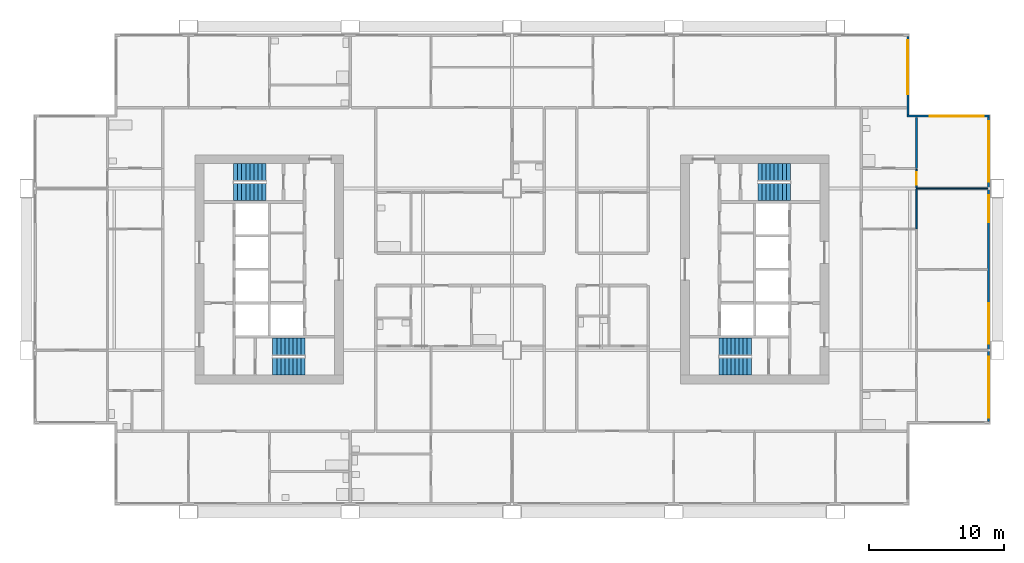
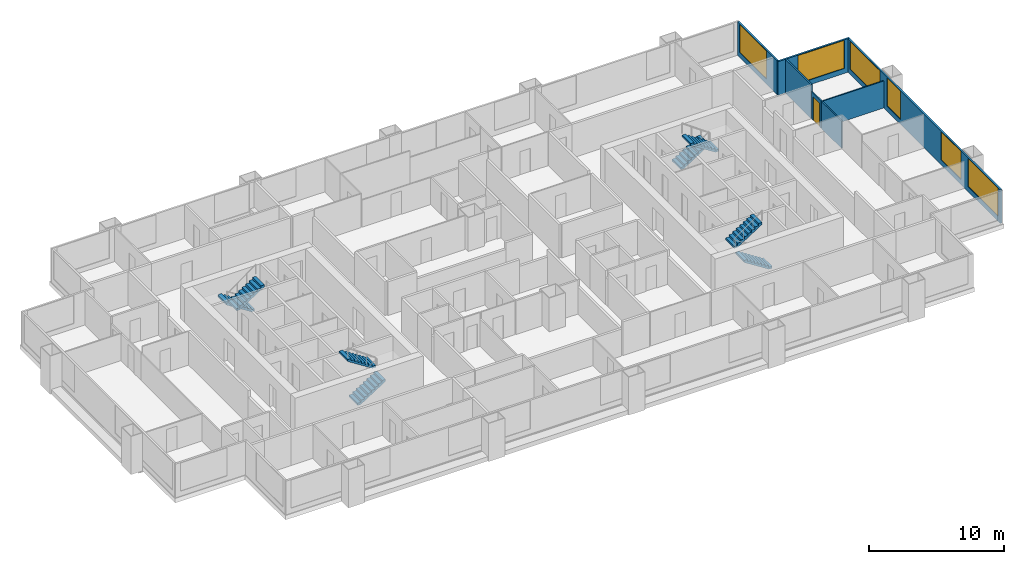
# One storey, part 9 of 11: 8 stair flights, 7 walls, 6 windows, 1 door, 7 openings, 4 elements without a shape of their own.
"""IFC4 building model written with IfcOpenShell, lengths in metres."""

from ifc_helpers import new_model, si_unit, direction, frame, frame_2d, origin, place, context, subcontext, project, spatial, polyline, rectangle, outline, extrude, material, layer, layer_set, type_object, element, fill, aggregate, save


model = new_model("IFC4")

# Units and contexts
model_context = context("Model", 3, precision=1e-05, world=origin(), true_north=direction((0.0, 1.0)))
body_context = subcontext(model_context, "Body", "Model", "MODEL_VIEW")
ifc_project = project(units=[si_unit("LENGTHUNIT", "METRE"), si_unit("AREAUNIT", "SQUARE_METRE"), si_unit("VOLUMEUNIT", "CUBIC_METRE"), si_unit("PLANEANGLEUNIT", "RADIAN"), si_unit("MASSUNIT", "GRAM", prefix="KILO")], contexts=[model_context])

# Site, building, storey
site_placement = place(None, origin())
site = spatial("IfcSite", under=ifc_project, at=site_placement, CompositionType="ELEMENT")
building_placement = place(site_placement, origin())
building = spatial("IfcBuilding", under=site, at=building_placement, Name="Kitamizu Gate Tower and Museum", CompositionType="ELEMENT")
storey_placement = place(building_placement, frame((0.0, 0.0, 138.0)))
storey = spatial("IfcBuildingStorey", under=building, at=storey_placement, Name="L36", CompositionType="ELEMENT", Elevation=138.0)

# Walls
ifc_material_1 = material(Name="Gypsum board on galvanised stud")
ifc_layer_1 = layer(ifc_material_1, 0.10009765625)
ifc_layer_set_1 = layer_set([ifc_layer_1], Name="Gypsum board on galvanised stud")
wall_type_1 = type_object("IfcWallType", Name="Partition 100 NOT RATED", PredefinedType="PARTITIONING", material=ifc_layer_set_1)
wall_1_placement = place(storey_placement, frame((71.280029296875, 36.0, 0.0), z_axis=(0.0, 0.0, 1.0), x_axis=(-1.0, 0.0, 0.0)))
element("IfcWall", 1, at=wall_1_placement, inside=storey, type_object=wall_type_1, Name="Partition L36-089", PredefinedType="PARTITIONING", context=body_context, shape_type="SweptSolid", body=[
    extrude(rectangle(XDim=5.280029296875, YDim=0.10009765625, at=frame_2d((2.64013671875, 0.0))), origin(), (0.0, 0.0, 1.0), 2.449951171875),
])
wall_2_placement = place(storey_placement, frame((66.0, 35.949951171875, 0.0), z_axis=(0.0, 0.0, 1.0), x_axis=(0.0, -1.0, 0.0)))
element("IfcWall", 2, at=wall_2_placement, inside=storey, type_object=wall_type_1, Name="Partition L36-091", PredefinedType="PARTITIONING", context=body_context, shape_type="SweptSolid", body=[
    extrude(rectangle(XDim=2.949951171875, YDim=0.10009765625, at=frame_2d((1.47509765625, 0.0))), origin(), (0.0, 0.0, 1.0), 2.449951171875),
])

# Wall, opening, door
wall_3_placement = place(storey_placement, frame((66.0, 37.425048828125, 0.0), z_axis=(0.0, 0.0, 1.0), x_axis=(0.0, -1.0, 0.0)))
wall_3 = element("IfcWall", 3, at=wall_3_placement, inside=storey, type_object=wall_type_1, Name="Partition L36-092", PredefinedType="PARTITIONING", context=body_context, shape_type="SweptSolid", body=[
    extrude(rectangle(XDim=1.375, YDim=0.10009765625, at=frame_2d((0.6875, 0.0))), origin(), (0.0, 0.0, 1.0), 2.449951171875),
])
opening_1_placement = place(wall_3_placement, frame((0.237548828125, 0.0, 0.0)))
opening_1 = element("IfcOpeningElement", 4, at=opening_1_placement, cuts=wall_3, Name="Opening L36-036", PredefinedType="OPENING", context=body_context, shape_type="SweptSolid", body=[
    extrude(rectangle(XDim=0.89990234375, YDim=2.10009765625, at=frame_2d((0.449951171875, 1.050048828125))), frame((0.0, 0.06005859375, 0.0), z_axis=(0.0, -1.0, 0.0), x_axis=(1.0, 0.0, 0.0)), (0.0, 0.0, 1.0), 0.1201171875),
])
ifc_material_2 = material(Name="Timber door set", Category="wood")
door_type = type_object("IfcDoorType", Name="Room door 900", OperationType="NOTDEFINED", PredefinedType="DOOR", material=ifc_material_2)
door_placement = place(opening_1_placement, origin())
door = element("IfcDoor", 5, at=door_placement, inside=storey, type_object=door_type, Name="Door L36-036", OperationType="SINGLE_SWING_LEFT", OverallHeight=2.10009765625, OverallWidth=0.89990234375, PredefinedType="DOOR", context=body_context, shape_type="SweptSolid", body=[
    extrude(rectangle(XDim=0.89990234375, YDim=2.10009765625, at=frame_2d((0.449951171875, 1.050048828125))), frame((0.0, 0.02490234375, 0.0), z_axis=(0.0, -1.0, 0.0), x_axis=(1.0, 0.0, 0.0)), (0.0, 0.0, 1.0), 0.050048828125),
])
fill(opening_1, door)

# Wall
ifc_material_3 = material(Name="Gypsum board on galvanised stud")
ifc_layer_2 = layer(ifc_material_3, 0.14990234375)
ifc_layer_set_2 = layer_set([ifc_layer_2], Name="Gypsum board on galvanised stud")
wall_type_2 = type_object("IfcWallType", Name="Partition 150", PredefinedType="PARTITIONING", material=ifc_layer_set_2)
wall_4_placement = place(storey_placement, frame((66.0, 41.280029296875, 0.0), z_axis=(0.0, 0.0, 1.0), x_axis=(0.0, -1.0, 0.0)))
element("IfcWall", 6, at=wall_4_placement, inside=storey, type_object=wall_type_2, Name="Partition L36-093", PredefinedType="PARTITIONING", context=body_context, shape_type="SweptSolid", body=[
    extrude(rectangle(XDim=3.780029296875, YDim=0.14990234375, at=frame_2d((1.89013671875, 0.0))), origin(), (0.0, 0.0, 1.0), 3.050048828125),
])

# Wall, openings, windows
ifc_material_4 = material(Name="Bronze anodised aluminium frame with insulated spandrel and tinted glass", Category="aluminium")
ifc_layer_3 = layer(ifc_material_4, 0.14990234375)
ifc_layer_set_3 = layer_set([ifc_layer_3], Name="Bronze anodised aluminium frame with insulated spandrel and tinted glass")
wall_type_3 = type_object("IfcWallType", Name="WINDOW WALL 150 BRONZE FRAME EI 30", PredefinedType="ELEMENTEDWALL", material=ifc_layer_set_3)
wall_5_placement = place(storey_placement, frame((71.364990234375, 18.7099609375, 0.0), z_axis=(0.0, 0.0, 1.0), x_axis=(0.0, 1.0, 0.0)))
wall_5 = element("IfcWall", 7, at=wall_5_placement, inside=storey, type_object=wall_type_3, Name="Window wall east L36", PredefinedType="ELEMENTEDWALL", context=body_context, shape_type="SweptSolid", body=[
    extrude(rectangle(XDim=22.580078125, YDim=0.14990234375, at=frame_2d((11.2900390625, 0.0))), origin(), (0.0, 0.0, 1.0), 3.050048828125),
])
opening_2_placement = place(wall_5_placement, frame((0.2900390625, 0.0, 0.449951171875)))
opening_2 = element("IfcOpeningElement", 8, at=opening_2_placement, cuts=wall_5, Name="Opening W15", PredefinedType="OPENING", context=body_context, shape_type="SweptSolid", body=[
    extrude(rectangle(XDim=4.5, YDim=2.550048828125, at=frame_2d((2.25, 1.27490234375))), frame((0.0, 0.0849609375, 0.0), z_axis=(0.0, -1.0, 0.0), x_axis=(1.0, 0.0, 0.0)), (0.0, 0.0, 1.0), 0.169921875),
])
opening_3_placement = place(wall_5_placement, frame((5.7900390625, 0.0, 0.449951171875)))
opening_3 = element("IfcOpeningElement", 9, at=opening_3_placement, cuts=wall_5, Name="Opening W33", PredefinedType="OPENING", context=body_context, shape_type="SweptSolid", body=[
    extrude(rectangle(XDim=3.0, YDim=2.550048828125, at=frame_2d((1.5, 1.27490234375))), frame((0.0, 0.0849609375, 0.0), z_axis=(0.0, -1.0, 0.0), x_axis=(1.0, 0.0, 0.0)), (0.0, 0.0, 1.0), 0.169921875),
])
opening_4_placement = place(wall_5_placement, frame((14.7900390625, 0.0, 0.449951171875)))
opening_4 = element("IfcOpeningElement", 10, at=opening_4_placement, cuts=wall_5, Name="Opening W2", PredefinedType="OPENING", context=body_context, shape_type="SweptSolid", body=[
    extrude(rectangle(XDim=2.0, YDim=2.550048828125, at=frame_2d((1.0, 1.27490234375))), frame((0.0, 0.0849609375, 0.0), z_axis=(0.0, -1.0, 0.0), x_axis=(1.0, 0.0, 0.0)), (0.0, 0.0, 1.0), 0.169921875),
])
opening_5_placement = place(wall_5_placement, frame((17.7900390625, 0.0, 0.449951171875)))
opening_5 = element("IfcOpeningElement", 11, at=opening_5_placement, cuts=wall_5, Name="Opening W15", PredefinedType="OPENING", context=body_context, shape_type="SweptSolid", body=[
    extrude(rectangle(XDim=4.5, YDim=2.550048828125, at=frame_2d((2.25, 1.27490234375))), frame((0.0, 0.0849609375, 0.0), z_axis=(0.0, -1.0, 0.0), x_axis=(1.0, 0.0, 0.0)), (0.0, 0.0, 1.0), 0.169921875),
])
ifc_material_5 = material(Name="Bronze anodised aluminium frame, tinted triple glazing", Category="aluminium")
window_type_1 = type_object("IfcWindowType", Name="WINDOW 2000 x 2550 SILL 450", PartitioningType="SINGLE_PANEL", PredefinedType="WINDOW", material=ifc_material_5)
window_1_placement = place(opening_4_placement, origin())
window_1 = element("IfcWindow", 12, at=window_1_placement, inside=storey, type_object=window_type_1, Name="Window W2 L36", OverallHeight=2.550048828125, OverallWidth=2.0, PartitioningType="SINGLE_PANEL", PredefinedType="WINDOW", context=body_context, shape_type="SweptSolid", body=[
    extrude(rectangle(XDim=2.0, YDim=2.550048828125, at=frame_2d((1.0, 1.27490234375))), frame((0.0, 0.030029296875, 0.0), z_axis=(0.0, -1.0, 0.0), x_axis=(1.0, 0.0, 0.0)), (0.0, 0.0, 1.0), 0.06005859375),
])
fill(opening_4, window_1)
ifc_material_6 = material(Name="Bronze anodised aluminium frame, tinted triple glazing", Category="aluminium")
window_type_2 = type_object("IfcWindowType", Name="WINDOW 3000 x 2550 SILL 450", PartitioningType="SINGLE_PANEL", PredefinedType="WINDOW", material=ifc_material_6)
window_2_placement = place(opening_3_placement, origin())
window_2 = element("IfcWindow", 13, at=window_2_placement, inside=storey, type_object=window_type_2, Name="Window W33 L36", OverallHeight=2.550048828125, OverallWidth=3.0, PartitioningType="SINGLE_PANEL", PredefinedType="WINDOW", context=body_context, shape_type="SweptSolid", body=[
    extrude(rectangle(XDim=3.0, YDim=2.550048828125, at=frame_2d((1.5, 1.27490234375))), frame((0.0, 0.030029296875, 0.0), z_axis=(0.0, -1.0, 0.0), x_axis=(1.0, 0.0, 0.0)), (0.0, 0.0, 1.0), 0.06005859375),
])
fill(opening_3, window_2)
ifc_material_7 = material(Name="Bronze anodised aluminium frame, tinted triple glazing", Category="aluminium")
window_type_3 = type_object("IfcWindowType", Name="WINDOW 4500 x 2550 SILL 450", PartitioningType="SINGLE_PANEL", PredefinedType="WINDOW", material=ifc_material_7)
window_3_placement = place(opening_2_placement, origin())
window_3 = element("IfcWindow", 14, at=window_3_placement, inside=storey, type_object=window_type_3, Name="Window W15 L36", OverallHeight=2.550048828125, OverallWidth=4.5, PartitioningType="SINGLE_PANEL", PredefinedType="WINDOW", context=body_context, shape_type="SweptSolid", body=[
    extrude(rectangle(XDim=4.5, YDim=2.550048828125, at=frame_2d((2.25, 1.27490234375))), frame((0.0, 0.030029296875, 0.0), z_axis=(0.0, -1.0, 0.0), x_axis=(1.0, 0.0, 0.0)), (0.0, 0.0, 1.0), 0.06005859375),
])
fill(opening_2, window_3)
window_4_placement = place(opening_5_placement, origin())
window_4 = element("IfcWindow", 15, at=window_4_placement, inside=storey, type_object=window_type_3, Name="Window W15 L36", OverallHeight=2.550048828125, OverallWidth=4.5, PartitioningType="SINGLE_PANEL", PredefinedType="WINDOW", context=body_context, shape_type="SweptSolid", body=[
    extrude(rectangle(XDim=4.5, YDim=2.550048828125, at=frame_2d((2.25, 1.27490234375))), frame((0.0, 0.030029296875, 0.0), z_axis=(0.0, -1.0, 0.0), x_axis=(1.0, 0.0, 0.0)), (0.0, 0.0, 1.0), 0.06005859375),
])
fill(opening_5, window_4)

# Wall, opening, window
wall_6_placement = place(storey_placement, frame((65.2900390625, 41.364990234375, 0.0), z_axis=(0.0, 0.0, 1.0), x_axis=(1.0, 0.0, 0.0)))
wall_6 = element("IfcWall", 16, at=wall_6_placement, inside=storey, type_object=wall_type_3, Name="Window wall north L36", PredefinedType="ELEMENTEDWALL", context=body_context, shape_type="SweptSolid", body=[
    extrude(rectangle(XDim=6.14990234375, YDim=0.14990234375, at=frame_2d((3.074951171875, 0.0))), origin(), (0.0, 0.0, 1.0), 3.050048828125),
])
opening_6_placement = place(wall_6_placement, frame((1.7099609375, 0.0, 0.449951171875)))
opening_6 = element("IfcOpeningElement", 17, at=opening_6_placement, cuts=wall_6, Name="Opening W16", PredefinedType="OPENING", context=body_context, shape_type="SweptSolid", body=[
    extrude(rectangle(XDim=4.0, YDim=2.550048828125, at=frame_2d((2.0, 1.27490234375))), frame((0.0, 0.0849609375, 0.0), z_axis=(0.0, -1.0, 0.0), x_axis=(1.0, 0.0, 0.0)), (0.0, 0.0, 1.0), 0.169921875),
])
ifc_material_8 = material(Name="Bronze anodised aluminium frame, tinted triple glazing", Category="aluminium")
window_type_4 = type_object("IfcWindowType", Name="WINDOW 4000 x 2550 SILL 450", PartitioningType="SINGLE_PANEL", PredefinedType="WINDOW", material=ifc_material_8)
window_5_placement = place(opening_6_placement, origin())
window_5 = element("IfcWindow", 18, at=window_5_placement, inside=storey, type_object=window_type_4, Name="Window W16 L36", OverallHeight=2.550048828125, OverallWidth=4.0, PartitioningType="SINGLE_PANEL", PredefinedType="WINDOW", context=body_context, shape_type="SweptSolid", body=[
    extrude(rectangle(XDim=4.0, YDim=2.550048828125, at=frame_2d((2.0, 1.27490234375))), frame((0.0, 0.030029296875, 0.0), z_axis=(0.0, -1.0, 0.0), x_axis=(1.0, 0.0, 0.0)), (0.0, 0.0, 1.0), 0.06005859375),
])
fill(opening_6, window_5)

wall_7_placement = place(storey_placement, frame((65.364990234375, 41.43994140625, 0.0), z_axis=(0.0, 0.0, 1.0), x_axis=(0.0, 1.0, 0.0)))
wall_7 = element("IfcWall", 19, at=wall_7_placement, inside=storey, type_object=wall_type_3, Name="Window wall east L36", PredefinedType="ELEMENTEDWALL", context=body_context, shape_type="SweptSolid", body=[
    extrude(rectangle(XDim=5.85009765625, YDim=0.14990234375, at=frame_2d((2.925048828125, 0.0))), origin(), (0.0, 0.0, 1.0), 3.050048828125),
])
opening_7_placement = place(wall_7_placement, frame((1.56005859375, 0.0, 0.449951171875)))
opening_7 = element("IfcOpeningElement", 20, at=opening_7_placement, cuts=wall_7, Name="Opening W16", PredefinedType="OPENING", context=body_context, shape_type="SweptSolid", body=[
    extrude(rectangle(XDim=4.0, YDim=2.550048828125, at=frame_2d((2.0, 1.27490234375))), frame((0.0, 0.0849609375, 0.0), z_axis=(0.0, -1.0, 0.0), x_axis=(1.0, 0.0, 0.0)), (0.0, 0.0, 1.0), 0.169921875),
])
window_6_placement = place(opening_7_placement, origin())
window_6 = element("IfcWindow", 21, at=window_6_placement, inside=storey, type_object=window_type_4, Name="Window W16 L36", OverallHeight=2.550048828125, OverallWidth=4.0, PartitioningType="SINGLE_PANEL", PredefinedType="WINDOW", context=body_context, shape_type="SweptSolid", body=[
    extrude(rectangle(XDim=4.0, YDim=2.550048828125, at=frame_2d((2.0, 1.27490234375))), frame((0.0, 0.030029296875, 0.0), z_axis=(0.0, -1.0, 0.0), x_axis=(1.0, 0.0, 0.0)), (0.0, 0.0, 1.0), 0.06005859375),
])
fill(opening_7, window_6)

# Stair, stair flights
ifc_material_9 = material(Name="Concrete Fc42", Category="concrete")
stair_type = type_object("IfcStairType", Name="Exit stair 1275 wide 192 rise 300 going", PredefinedType="HALF_TURN_STAIR", material=ifc_material_9)
stair_1_placement = place(storey_placement, origin())
stair_1 = element("IfcStair", 22, at=stair_1_placement, inside=storey, type_object=stair_type, Name="Exit stair ST1", PredefinedType="HALF_TURN_STAIR")
ifc_material_10 = material(Name="Concrete Fc42", Category="concrete")
stair_flight_type = type_object("IfcStairFlightType", Name="Stair flight 1275 wide 192 rise 300 going", PredefinedType="STRAIGHT", material=ifc_material_10)
stair_flight_1_placement = place(storey_placement, frame((18.25, 22.78759765625, 0.0), z_axis=(0.0, 0.0, 1.0), x_axis=(1.0, 0.0, 0.0)))
stair_flight_1 = element("IfcStairFlight", 23, at=stair_flight_1_placement, type_object=stair_flight_type, Name="ST1 flight 1", NumberOfRisers=9, NumberOfTreads=8, PredefinedType="STRAIGHT", RiserHeight=0.191666667, TreadLength=0.3, context=body_context, shape_type="SweptSolid", body=[
    extrude(outline(polyline([(0.0, 0.0), (0.0, 0.191650390625), (0.300048828125, 0.191650390625), (0.300048828125, 0.38330078125), (0.60009765625, 0.38330078125), (0.60009765625, 0.574951171875), (0.89990234375, 0.574951171875), (0.89990234375, 0.7666015625), (1.199951171875, 0.7666015625), (1.199951171875, 0.958251953125), (1.5, 0.958251953125), (1.5, 1.14990234375), (1.800048828125, 1.14990234375), (1.800048828125, 1.341552734375), (2.10009765625, 1.341552734375), (2.10009765625, 1.533447265625), (2.39990234375, 1.533447265625), (2.39990234375, 1.72509765625), (2.39990234375, 1.35546875), (0.2783203125, 0.0), (0.0, 0.0)])), frame((0.0, 0.637451171875, 0.0), z_axis=(0.0, -1.0, 0.0), x_axis=(1.0, 0.0, 0.0)), (0.0, 0.0, 1.0), 1.27490234375),
])
stair_flight_2_placement = place(storey_placement, frame((20.64990234375, 24.262451171875, 1.72509765625), z_axis=(0.0, 0.0, 1.0), x_axis=(-1.0, 0.0, 0.0)))
stair_flight_2 = element("IfcStairFlight", 24, at=stair_flight_2_placement, type_object=stair_flight_type, Name="ST1 flight 2", NumberOfRisers=9, NumberOfTreads=8, PredefinedType="STRAIGHT", RiserHeight=0.191666667, TreadLength=0.3, context=body_context, shape_type="SweptSolid", body=[
    extrude(outline(polyline([(0.0, 0.0), (0.0, 0.191650390625), (0.300048828125, 0.191650390625), (0.300048828125, 0.38330078125), (0.60009765625, 0.38330078125), (0.60009765625, 0.574951171875), (0.89990234375, 0.574951171875), (0.89990234375, 0.7666015625), (1.199951171875, 0.7666015625), (1.199951171875, 0.958251953125), (1.5, 0.958251953125), (1.5, 1.14990234375), (1.800048828125, 1.14990234375), (1.800048828125, 1.341552734375), (2.10009765625, 1.341552734375), (2.10009765625, 1.533447265625), (2.39990234375, 1.533447265625), (2.39990234375, 1.72509765625), (2.39990234375, 1.35546875), (0.2783203125, 0.0), (0.0, 0.0)])), frame((0.0, 0.637451171875, 0.0), z_axis=(0.0, -1.0, 0.0), x_axis=(1.0, 0.0, 0.0)), (0.0, 0.0, 1.0), 1.27490234375),
])
aggregate(stair_1, [stair_flight_1, stair_flight_2])

stair_2_placement = place(storey_placement, origin())
stair_2 = element("IfcStair", 25, at=stair_2_placement, inside=storey, type_object=stair_type, Name="Exit stair ST2", PredefinedType="HALF_TURN_STAIR")
stair_flight_3_placement = place(storey_placement, frame((17.75, 37.21240234375, 0.0), z_axis=(0.0, 0.0, 1.0), x_axis=(-1.0, 0.0, 0.0)))
stair_flight_3 = element("IfcStairFlight", 26, at=stair_flight_3_placement, type_object=stair_flight_type, Name="ST2 flight 1", NumberOfRisers=9, NumberOfTreads=8, PredefinedType="STRAIGHT", RiserHeight=0.191666667, TreadLength=0.3, context=body_context, shape_type="SweptSolid", body=[
    extrude(outline(polyline([(0.0, 0.0), (0.0, 0.191650390625), (0.300048828125, 0.191650390625), (0.300048828125, 0.38330078125), (0.60009765625, 0.38330078125), (0.60009765625, 0.574951171875), (0.89990234375, 0.574951171875), (0.89990234375, 0.7666015625), (1.199951171875, 0.7666015625), (1.199951171875, 0.958251953125), (1.5, 0.958251953125), (1.5, 1.14990234375), (1.800048828125, 1.14990234375), (1.800048828125, 1.341552734375), (2.10009765625, 1.341552734375), (2.10009765625, 1.533447265625), (2.39990234375, 1.533447265625), (2.39990234375, 1.72509765625), (2.39990234375, 1.35546875), (0.2783203125, 0.0), (0.0, 0.0)])), frame((0.0, 0.637451171875, 0.0), z_axis=(0.0, -1.0, 0.0), x_axis=(1.0, 0.0, 0.0)), (0.0, 0.0, 1.0), 1.27490234375),
])
stair_flight_4_placement = place(storey_placement, frame((15.35009765625, 35.737548828125, 1.72509765625), z_axis=(0.0, 0.0, 1.0), x_axis=(1.0, 0.0, 0.0)))
stair_flight_4 = element("IfcStairFlight", 27, at=stair_flight_4_placement, type_object=stair_flight_type, Name="ST2 flight 2", NumberOfRisers=9, NumberOfTreads=8, PredefinedType="STRAIGHT", RiserHeight=0.191666667, TreadLength=0.3, context=body_context, shape_type="SweptSolid", body=[
    extrude(outline(polyline([(0.0, 0.0), (0.0, 0.191650390625), (0.300048828125, 0.191650390625), (0.300048828125, 0.38330078125), (0.60009765625, 0.38330078125), (0.60009765625, 0.574951171875), (0.89990234375, 0.574951171875), (0.89990234375, 0.7666015625), (1.199951171875, 0.7666015625), (1.199951171875, 0.958251953125), (1.5, 0.958251953125), (1.5, 1.14990234375), (1.800048828125, 1.14990234375), (1.800048828125, 1.341552734375), (2.10009765625, 1.341552734375), (2.10009765625, 1.533447265625), (2.39990234375, 1.533447265625), (2.39990234375, 1.72509765625), (2.39990234375, 1.35546875), (0.2783203125, 0.0), (0.0, 0.0)])), frame((0.0, 0.637451171875, 0.0), z_axis=(0.0, -1.0, 0.0), x_axis=(1.0, 0.0, 0.0)), (0.0, 0.0, 1.0), 1.27490234375),
])
aggregate(stair_2, [stair_flight_3, stair_flight_4])

stair_3_placement = place(storey_placement, origin())
stair_3 = element("IfcStair", 28, at=stair_3_placement, inside=storey, type_object=stair_type, Name="Exit stair ST3", PredefinedType="HALF_TURN_STAIR")
stair_flight_5_placement = place(storey_placement, frame((53.75, 22.78759765625, 0.0), z_axis=(0.0, 0.0, 1.0), x_axis=(-1.0, 0.0, 0.0)))
stair_flight_5 = element("IfcStairFlight", 29, at=stair_flight_5_placement, type_object=stair_flight_type, Name="ST3 flight 1", NumberOfRisers=9, NumberOfTreads=8, PredefinedType="STRAIGHT", RiserHeight=0.191666667, TreadLength=0.3, context=body_context, shape_type="SweptSolid", body=[
    extrude(outline(polyline([(0.0, 0.0), (0.0, 0.191650390625), (0.300048828125, 0.191650390625), (0.300048828125, 0.38330078125), (0.60009765625, 0.38330078125), (0.60009765625, 0.574951171875), (0.89990234375, 0.574951171875), (0.89990234375, 0.7666015625), (1.199951171875, 0.7666015625), (1.199951171875, 0.958251953125), (1.5, 0.958251953125), (1.5, 1.14990234375), (1.800048828125, 1.14990234375), (1.800048828125, 1.341552734375), (2.10009765625, 1.341552734375), (2.10009765625, 1.533447265625), (2.39990234375, 1.533447265625), (2.39990234375, 1.72509765625), (2.39990234375, 1.35546875), (0.2783203125, 0.0), (0.0, 0.0)])), frame((0.0, 0.637451171875, 0.0), z_axis=(0.0, -1.0, 0.0), x_axis=(1.0, 0.0, 0.0)), (0.0, 0.0, 1.0), 1.27490234375),
])
stair_flight_6_placement = place(storey_placement, frame((51.35009765625, 24.262451171875, 1.72509765625), z_axis=(0.0, 0.0, 1.0), x_axis=(1.0, 0.0, 0.0)))
stair_flight_6 = element("IfcStairFlight", 30, at=stair_flight_6_placement, type_object=stair_flight_type, Name="ST3 flight 2", NumberOfRisers=9, NumberOfTreads=8, PredefinedType="STRAIGHT", RiserHeight=0.191666667, TreadLength=0.3, context=body_context, shape_type="SweptSolid", body=[
    extrude(outline(polyline([(0.0, 0.0), (0.0, 0.191650390625), (0.300048828125, 0.191650390625), (0.300048828125, 0.38330078125), (0.60009765625, 0.38330078125), (0.60009765625, 0.574951171875), (0.89990234375, 0.574951171875), (0.89990234375, 0.7666015625), (1.199951171875, 0.7666015625), (1.199951171875, 0.958251953125), (1.5, 0.958251953125), (1.5, 1.14990234375), (1.800048828125, 1.14990234375), (1.800048828125, 1.341552734375), (2.10009765625, 1.341552734375), (2.10009765625, 1.533447265625), (2.39990234375, 1.533447265625), (2.39990234375, 1.72509765625), (2.39990234375, 1.35546875), (0.2783203125, 0.0), (0.0, 0.0)])), frame((0.0, 0.637451171875, 0.0), z_axis=(0.0, -1.0, 0.0), x_axis=(1.0, 0.0, 0.0)), (0.0, 0.0, 1.0), 1.27490234375),
])
aggregate(stair_3, [stair_flight_5, stair_flight_6])

stair_4_placement = place(storey_placement, origin())
stair_4 = element("IfcStair", 31, at=stair_4_placement, inside=storey, type_object=stair_type, Name="Exit stair ST4", PredefinedType="HALF_TURN_STAIR")
stair_flight_7_placement = place(storey_placement, frame((54.25, 37.21240234375, 0.0), z_axis=(0.0, 0.0, 1.0), x_axis=(1.0, 0.0, 0.0)))
stair_flight_7 = element("IfcStairFlight", 32, at=stair_flight_7_placement, type_object=stair_flight_type, Name="ST4 flight 1", NumberOfRisers=9, NumberOfTreads=8, PredefinedType="STRAIGHT", RiserHeight=0.191666667, TreadLength=0.3, context=body_context, shape_type="SweptSolid", body=[
    extrude(outline(polyline([(0.0, 0.0), (0.0, 0.191650390625), (0.300048828125, 0.191650390625), (0.300048828125, 0.38330078125), (0.60009765625, 0.38330078125), (0.60009765625, 0.574951171875), (0.89990234375, 0.574951171875), (0.89990234375, 0.7666015625), (1.199951171875, 0.7666015625), (1.199951171875, 0.958251953125), (1.5, 0.958251953125), (1.5, 1.14990234375), (1.800048828125, 1.14990234375), (1.800048828125, 1.341552734375), (2.10009765625, 1.341552734375), (2.10009765625, 1.533447265625), (2.39990234375, 1.533447265625), (2.39990234375, 1.72509765625), (2.39990234375, 1.35546875), (0.2783203125, 0.0), (0.0, 0.0)])), frame((0.0, 0.637451171875, 0.0), z_axis=(0.0, -1.0, 0.0), x_axis=(1.0, 0.0, 0.0)), (0.0, 0.0, 1.0), 1.27490234375),
])
stair_flight_8_placement = place(storey_placement, frame((56.64990234375, 35.737548828125, 1.72509765625), z_axis=(0.0, 0.0, 1.0), x_axis=(-1.0, 0.0, 0.0)))
stair_flight_8 = element("IfcStairFlight", 33, at=stair_flight_8_placement, type_object=stair_flight_type, Name="ST4 flight 2", NumberOfRisers=9, NumberOfTreads=8, PredefinedType="STRAIGHT", RiserHeight=0.191666667, TreadLength=0.3, context=body_context, shape_type="SweptSolid", body=[
    extrude(outline(polyline([(0.0, 0.0), (0.0, 0.191650390625), (0.300048828125, 0.191650390625), (0.300048828125, 0.38330078125), (0.60009765625, 0.38330078125), (0.60009765625, 0.574951171875), (0.89990234375, 0.574951171875), (0.89990234375, 0.7666015625), (1.199951171875, 0.7666015625), (1.199951171875, 0.958251953125), (1.5, 0.958251953125), (1.5, 1.14990234375), (1.800048828125, 1.14990234375), (1.800048828125, 1.341552734375), (2.10009765625, 1.341552734375), (2.10009765625, 1.533447265625), (2.39990234375, 1.533447265625), (2.39990234375, 1.72509765625), (2.39990234375, 1.35546875), (0.2783203125, 0.0), (0.0, 0.0)])), frame((0.0, 0.637451171875, 0.0), z_axis=(0.0, -1.0, 0.0), x_axis=(1.0, 0.0, 0.0)), (0.0, 0.0, 1.0), 1.27490234375),
])
aggregate(stair_4, [stair_flight_7, stair_flight_8])

save(model, "model.ifc")
